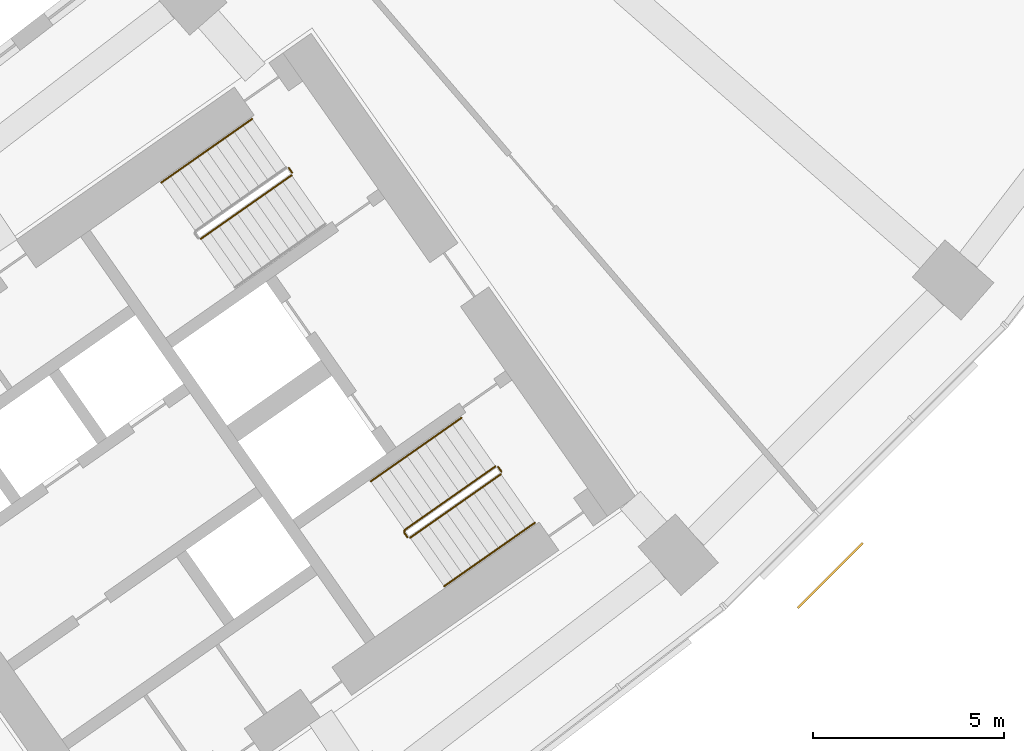
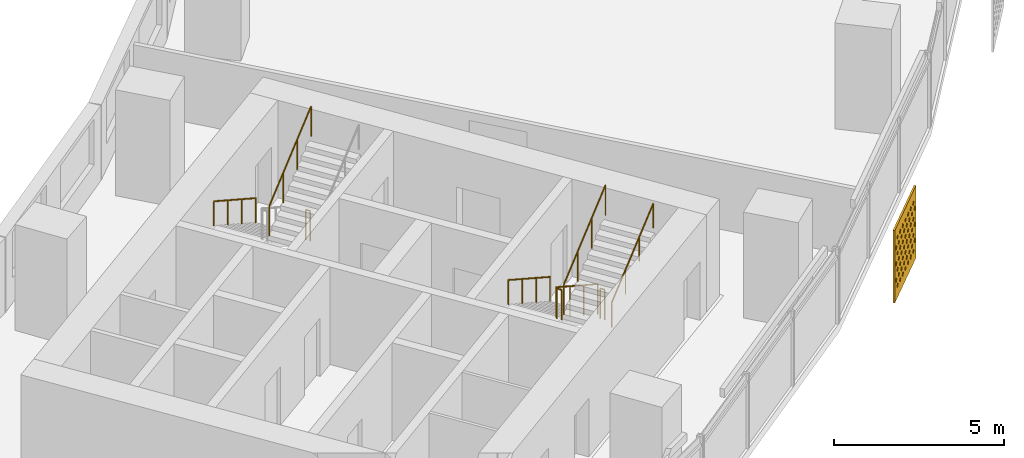
# One storey, part 28 of 29: 8 railings, 1 shading device.
"""IFC4 building model written with IfcOpenShell, lengths in metres."""

from ifc_helpers import new_model, si_unit, direction, frame, origin, origin_2d, place, context, subcontext, project, spatial, polyline, circle, outline, extrude, material, material_profile, profile_set, type_object, element, save


model = new_model("IFC4")

# Units and contexts
model_context = context("Model", 3, precision=1e-05, world=origin(), true_north=direction((0.0, 1.0)))
body_context = subcontext(model_context, "Body", "Model", "MODEL_VIEW")
ifc_project = project(units=[si_unit("LENGTHUNIT", "METRE"), si_unit("AREAUNIT", "SQUARE_METRE"), si_unit("VOLUMEUNIT", "CUBIC_METRE"), si_unit("PLANEANGLEUNIT", "RADIAN"), si_unit("MASSUNIT", "GRAM", prefix="KILO")], contexts=[model_context])

# Site, building, storey
site_placement = place(None, origin())
site = spatial("IfcSite", under=ifc_project, at=site_placement, CompositionType="ELEMENT")
building_placement = place(site_placement, origin())
building = spatial("IfcBuilding", under=site, at=building_placement, Name="Qamariyya Broadcast Tower", CompositionType="ELEMENT")
storey_placement = place(building_placement, frame((0.0, 0.0, 44.300048828125)))
storey = spatial("IfcBuildingStorey", under=building, at=storey_placement, Name="L07", CompositionType="ELEMENT", Elevation=44.300048828125)

# Shading device
ifc_material_1 = material(Name="Perforated glazed terracotta", Category="masonry")
ifc_material_profile = material_profile(ifc_material_1, outline(polyline([(-1.199951171875, -1.300048828125), (1.199951171875, -1.300048828125), (1.199951171875, 1.300048828125), (-1.199951171875, 1.300048828125), (-1.199951171875, -1.300048828125)]), holes=[polyline([(-0.81494140625, -0.86669921875), (-0.89990234375, -0.78173828125), (-0.985107421875, -0.86669921875), (-0.89990234375, -0.95166015625), (-0.81494140625, -0.86669921875)]), polyline([(-0.514892578125, -0.86669921875), (-0.60009765625, -0.78173828125), (-0.68505859375, -0.86669921875), (-0.60009765625, -0.95166015625), (-0.514892578125, -0.86669921875)]), polyline([(-0.215087890625, -0.86669921875), (-0.300048828125, -0.78173828125), (-0.385009765625, -0.86669921875), (-0.300048828125, -0.95166015625), (-0.215087890625, -0.86669921875)]), polyline([(0.0849609375, -0.86669921875), (0.0, -0.78173828125), (-0.0849609375, -0.86669921875), (0.0, -0.95166015625), (0.0849609375, -0.86669921875)]), polyline([(0.385009765625, -0.86669921875), (0.300048828125, -0.78173828125), (0.215087890625, -0.86669921875), (0.300048828125, -0.95166015625), (0.385009765625, -0.86669921875)]), polyline([(0.68505859375, -0.86669921875), (0.60009765625, -0.78173828125), (0.514892578125, -0.86669921875), (0.60009765625, -0.95166015625), (0.68505859375, -0.86669921875)]), polyline([(0.985107421875, -0.86669921875), (0.89990234375, -0.78173828125), (0.81494140625, -0.86669921875), (0.89990234375, -0.95166015625), (0.985107421875, -0.86669921875)]), polyline([(-0.965087890625, -0.577880859375), (-1.050048828125, -0.49267578125), (-1.135009765625, -0.577880859375), (-1.050048828125, -0.662841796875), (-0.965087890625, -0.577880859375)]), polyline([(-0.6650390625, -0.577880859375), (-0.75, -0.49267578125), (-0.8349609375, -0.577880859375), (-0.75, -0.662841796875), (-0.6650390625, -0.577880859375)]), polyline([(-0.364990234375, -0.577880859375), (-0.449951171875, -0.49267578125), (-0.534912109375, -0.577880859375), (-0.449951171875, -0.662841796875), (-0.364990234375, -0.577880859375)]), polyline([(-0.06494140625, -0.577880859375), (-0.14990234375, -0.49267578125), (-0.235107421875, -0.577880859375), (-0.14990234375, -0.662841796875), (-0.06494140625, -0.577880859375)]), polyline([(0.235107421875, -0.577880859375), (0.14990234375, -0.49267578125), (0.06494140625, -0.577880859375), (0.14990234375, -0.662841796875), (0.235107421875, -0.577880859375)]), polyline([(0.534912109375, -0.577880859375), (0.449951171875, -0.49267578125), (0.364990234375, -0.577880859375), (0.449951171875, -0.662841796875), (0.534912109375, -0.577880859375)]), polyline([(0.8349609375, -0.577880859375), (0.75, -0.49267578125), (0.6650390625, -0.577880859375), (0.75, -0.662841796875), (0.8349609375, -0.577880859375)]), polyline([(1.135009765625, -0.577880859375), (1.050048828125, -0.49267578125), (0.965087890625, -0.577880859375), (1.050048828125, -0.662841796875), (1.135009765625, -0.577880859375)]), polyline([(-0.81494140625, -0.288818359375), (-0.89990234375, -0.203857421875), (-0.985107421875, -0.288818359375), (-0.89990234375, -0.373779296875), (-0.81494140625, -0.288818359375)]), polyline([(-0.514892578125, -0.288818359375), (-0.60009765625, -0.203857421875), (-0.68505859375, -0.288818359375), (-0.60009765625, -0.373779296875), (-0.514892578125, -0.288818359375)]), polyline([(-0.215087890625, -0.288818359375), (-0.300048828125, -0.203857421875), (-0.385009765625, -0.288818359375), (-0.300048828125, -0.373779296875), (-0.215087890625, -0.288818359375)]), polyline([(0.0849609375, -0.288818359375), (0.0, -0.203857421875), (-0.0849609375, -0.288818359375), (0.0, -0.373779296875), (0.0849609375, -0.288818359375)]), polyline([(0.385009765625, -0.288818359375), (0.300048828125, -0.203857421875), (0.215087890625, -0.288818359375), (0.300048828125, -0.373779296875), (0.385009765625, -0.288818359375)]), polyline([(0.68505859375, -0.288818359375), (0.60009765625, -0.203857421875), (0.514892578125, -0.288818359375), (0.60009765625, -0.373779296875), (0.68505859375, -0.288818359375)]), polyline([(0.985107421875, -0.288818359375), (0.89990234375, -0.203857421875), (0.81494140625, -0.288818359375), (0.89990234375, -0.373779296875), (0.985107421875, -0.288818359375)]), polyline([(-0.965087890625, 0.0), (-1.050048828125, 0.0849609375), (-1.135009765625, 0.0), (-1.050048828125, -0.0849609375), (-0.965087890625, 0.0)]), polyline([(-0.6650390625, 0.0), (-0.75, 0.0849609375), (-0.8349609375, 0.0), (-0.75, -0.0849609375), (-0.6650390625, 0.0)]), polyline([(-0.364990234375, 0.0), (-0.449951171875, 0.0849609375), (-0.534912109375, 0.0), (-0.449951171875, -0.0849609375), (-0.364990234375, 0.0)]), polyline([(-0.06494140625, 0.0), (-0.14990234375, 0.0849609375), (-0.235107421875, 0.0), (-0.14990234375, -0.0849609375), (-0.06494140625, 0.0)]), polyline([(0.235107421875, 0.0), (0.14990234375, 0.0849609375), (0.06494140625, 0.0), (0.14990234375, -0.0849609375), (0.235107421875, 0.0)]), polyline([(0.534912109375, 0.0), (0.449951171875, 0.0849609375), (0.364990234375, 0.0), (0.449951171875, -0.0849609375), (0.534912109375, 0.0)]), polyline([(0.8349609375, 0.0), (0.75, 0.0849609375), (0.6650390625, 0.0), (0.75, -0.0849609375), (0.8349609375, 0.0)]), polyline([(1.135009765625, 0.0), (1.050048828125, 0.0849609375), (0.965087890625, 0.0), (1.050048828125, -0.0849609375), (1.135009765625, 0.0)]), polyline([(-0.81494140625, 0.288818359375), (-0.89990234375, 0.373779296875), (-0.985107421875, 0.288818359375), (-0.89990234375, 0.203857421875), (-0.81494140625, 0.288818359375)]), polyline([(-0.514892578125, 0.288818359375), (-0.60009765625, 0.373779296875), (-0.68505859375, 0.288818359375), (-0.60009765625, 0.203857421875), (-0.514892578125, 0.288818359375)]), polyline([(-0.215087890625, 0.288818359375), (-0.300048828125, 0.373779296875), (-0.385009765625, 0.288818359375), (-0.300048828125, 0.203857421875), (-0.215087890625, 0.288818359375)]), polyline([(0.0849609375, 0.288818359375), (0.0, 0.373779296875), (-0.0849609375, 0.288818359375), (0.0, 0.203857421875), (0.0849609375, 0.288818359375)]), polyline([(0.385009765625, 0.288818359375), (0.300048828125, 0.373779296875), (0.215087890625, 0.288818359375), (0.300048828125, 0.203857421875), (0.385009765625, 0.288818359375)]), polyline([(0.68505859375, 0.288818359375), (0.60009765625, 0.373779296875), (0.514892578125, 0.288818359375), (0.60009765625, 0.203857421875), (0.68505859375, 0.288818359375)]), polyline([(0.985107421875, 0.288818359375), (0.89990234375, 0.373779296875), (0.81494140625, 0.288818359375), (0.89990234375, 0.203857421875), (0.985107421875, 0.288818359375)]), polyline([(-0.965087890625, 0.577880859375), (-1.050048828125, 0.662841796875), (-1.135009765625, 0.577880859375), (-1.050048828125, 0.49267578125), (-0.965087890625, 0.577880859375)]), polyline([(-0.6650390625, 0.577880859375), (-0.75, 0.662841796875), (-0.8349609375, 0.577880859375), (-0.75, 0.49267578125), (-0.6650390625, 0.577880859375)]), polyline([(-0.364990234375, 0.577880859375), (-0.449951171875, 0.662841796875), (-0.534912109375, 0.577880859375), (-0.449951171875, 0.49267578125), (-0.364990234375, 0.577880859375)]), polyline([(-0.06494140625, 0.577880859375), (-0.14990234375, 0.662841796875), (-0.235107421875, 0.577880859375), (-0.14990234375, 0.49267578125), (-0.06494140625, 0.577880859375)]), polyline([(0.235107421875, 0.577880859375), (0.14990234375, 0.662841796875), (0.06494140625, 0.577880859375), (0.14990234375, 0.49267578125), (0.235107421875, 0.577880859375)]), polyline([(0.534912109375, 0.577880859375), (0.449951171875, 0.662841796875), (0.364990234375, 0.577880859375), (0.449951171875, 0.49267578125), (0.534912109375, 0.577880859375)]), polyline([(0.8349609375, 0.577880859375), (0.75, 0.662841796875), (0.6650390625, 0.577880859375), (0.75, 0.49267578125), (0.8349609375, 0.577880859375)]), polyline([(1.135009765625, 0.577880859375), (1.050048828125, 0.662841796875), (0.965087890625, 0.577880859375), (1.050048828125, 0.49267578125), (1.135009765625, 0.577880859375)]), polyline([(-0.81494140625, 0.86669921875), (-0.89990234375, 0.95166015625), (-0.985107421875, 0.86669921875), (-0.89990234375, 0.78173828125), (-0.81494140625, 0.86669921875)]), polyline([(-0.514892578125, 0.86669921875), (-0.60009765625, 0.95166015625), (-0.68505859375, 0.86669921875), (-0.60009765625, 0.78173828125), (-0.514892578125, 0.86669921875)]), polyline([(-0.215087890625, 0.86669921875), (-0.300048828125, 0.95166015625), (-0.385009765625, 0.86669921875), (-0.300048828125, 0.78173828125), (-0.215087890625, 0.86669921875)]), polyline([(0.0849609375, 0.86669921875), (0.0, 0.95166015625), (-0.0849609375, 0.86669921875), (0.0, 0.78173828125), (0.0849609375, 0.86669921875)]), polyline([(0.385009765625, 0.86669921875), (0.300048828125, 0.95166015625), (0.215087890625, 0.86669921875), (0.300048828125, 0.78173828125), (0.385009765625, 0.86669921875)]), polyline([(0.68505859375, 0.86669921875), (0.60009765625, 0.95166015625), (0.514892578125, 0.86669921875), (0.60009765625, 0.78173828125), (0.68505859375, 0.86669921875)]), polyline([(0.985107421875, 0.86669921875), (0.89990234375, 0.95166015625), (0.81494140625, 0.86669921875), (0.89990234375, 0.78173828125), (0.985107421875, 0.86669921875)])]))
ifc_profile_set = profile_set([ifc_material_profile], Name="Perforated glazed terracotta")
shading_device_type = type_object("IfcShadingDeviceType", Name="Perforated terracotta screen 2400 x 2600", PredefinedType="USERDEFINED", material=ifc_profile_set)
shading_device_placement = place(storey_placement, frame((55.2197265625, -58.977294921875, 1.349853515625), z_axis=(0.707106781187, -0.707106781187, 0.0), x_axis=(0.707106781187, 0.707106781187, 0.0)))
element("IfcShadingDevice", 1, at=shading_device_placement, inside=storey, type_object=shading_device_type, Name="e-scr-L07-14-0", ObjectType="SCREEN", PredefinedType="USERDEFINED", context=body_context, shape_type="SweptSolid", body=[
    extrude(outline(polyline([(-1.199951171875, -1.300048828125), (1.199951171875, -1.300048828125), (1.199951171875, 1.300048828125), (-1.199951171875, 1.300048828125), (-1.199951171875, -1.300048828125)]), holes=[polyline([(-0.81494140625, -0.86669921875), (-0.89990234375, -0.78173828125), (-0.985107421875, -0.86669921875), (-0.89990234375, -0.95166015625), (-0.81494140625, -0.86669921875)]), polyline([(-0.514892578125, -0.86669921875), (-0.60009765625, -0.78173828125), (-0.68505859375, -0.86669921875), (-0.60009765625, -0.95166015625), (-0.514892578125, -0.86669921875)]), polyline([(-0.215087890625, -0.86669921875), (-0.300048828125, -0.78173828125), (-0.385009765625, -0.86669921875), (-0.300048828125, -0.95166015625), (-0.215087890625, -0.86669921875)]), polyline([(0.0849609375, -0.86669921875), (0.0, -0.78173828125), (-0.0849609375, -0.86669921875), (0.0, -0.95166015625), (0.0849609375, -0.86669921875)]), polyline([(0.385009765625, -0.86669921875), (0.300048828125, -0.78173828125), (0.215087890625, -0.86669921875), (0.300048828125, -0.95166015625), (0.385009765625, -0.86669921875)]), polyline([(0.68505859375, -0.86669921875), (0.60009765625, -0.78173828125), (0.514892578125, -0.86669921875), (0.60009765625, -0.95166015625), (0.68505859375, -0.86669921875)]), polyline([(0.985107421875, -0.86669921875), (0.89990234375, -0.78173828125), (0.81494140625, -0.86669921875), (0.89990234375, -0.95166015625), (0.985107421875, -0.86669921875)]), polyline([(-0.965087890625, -0.577880859375), (-1.050048828125, -0.49267578125), (-1.135009765625, -0.577880859375), (-1.050048828125, -0.662841796875), (-0.965087890625, -0.577880859375)]), polyline([(-0.6650390625, -0.577880859375), (-0.75, -0.49267578125), (-0.8349609375, -0.577880859375), (-0.75, -0.662841796875), (-0.6650390625, -0.577880859375)]), polyline([(-0.364990234375, -0.577880859375), (-0.449951171875, -0.49267578125), (-0.534912109375, -0.577880859375), (-0.449951171875, -0.662841796875), (-0.364990234375, -0.577880859375)]), polyline([(-0.06494140625, -0.577880859375), (-0.14990234375, -0.49267578125), (-0.235107421875, -0.577880859375), (-0.14990234375, -0.662841796875), (-0.06494140625, -0.577880859375)]), polyline([(0.235107421875, -0.577880859375), (0.14990234375, -0.49267578125), (0.06494140625, -0.577880859375), (0.14990234375, -0.662841796875), (0.235107421875, -0.577880859375)]), polyline([(0.534912109375, -0.577880859375), (0.449951171875, -0.49267578125), (0.364990234375, -0.577880859375), (0.449951171875, -0.662841796875), (0.534912109375, -0.577880859375)]), polyline([(0.8349609375, -0.577880859375), (0.75, -0.49267578125), (0.6650390625, -0.577880859375), (0.75, -0.662841796875), (0.8349609375, -0.577880859375)]), polyline([(1.135009765625, -0.577880859375), (1.050048828125, -0.49267578125), (0.965087890625, -0.577880859375), (1.050048828125, -0.662841796875), (1.135009765625, -0.577880859375)]), polyline([(-0.81494140625, -0.288818359375), (-0.89990234375, -0.203857421875), (-0.985107421875, -0.288818359375), (-0.89990234375, -0.373779296875), (-0.81494140625, -0.288818359375)]), polyline([(-0.514892578125, -0.288818359375), (-0.60009765625, -0.203857421875), (-0.68505859375, -0.288818359375), (-0.60009765625, -0.373779296875), (-0.514892578125, -0.288818359375)]), polyline([(-0.215087890625, -0.288818359375), (-0.300048828125, -0.203857421875), (-0.385009765625, -0.288818359375), (-0.300048828125, -0.373779296875), (-0.215087890625, -0.288818359375)]), polyline([(0.0849609375, -0.288818359375), (0.0, -0.203857421875), (-0.0849609375, -0.288818359375), (0.0, -0.373779296875), (0.0849609375, -0.288818359375)]), polyline([(0.385009765625, -0.288818359375), (0.300048828125, -0.203857421875), (0.215087890625, -0.288818359375), (0.300048828125, -0.373779296875), (0.385009765625, -0.288818359375)]), polyline([(0.68505859375, -0.288818359375), (0.60009765625, -0.203857421875), (0.514892578125, -0.288818359375), (0.60009765625, -0.373779296875), (0.68505859375, -0.288818359375)]), polyline([(0.985107421875, -0.288818359375), (0.89990234375, -0.203857421875), (0.81494140625, -0.288818359375), (0.89990234375, -0.373779296875), (0.985107421875, -0.288818359375)]), polyline([(-0.965087890625, 0.0), (-1.050048828125, 0.0849609375), (-1.135009765625, 0.0), (-1.050048828125, -0.0849609375), (-0.965087890625, 0.0)]), polyline([(-0.6650390625, 0.0), (-0.75, 0.0849609375), (-0.8349609375, 0.0), (-0.75, -0.0849609375), (-0.6650390625, 0.0)]), polyline([(-0.364990234375, 0.0), (-0.449951171875, 0.0849609375), (-0.534912109375, 0.0), (-0.449951171875, -0.0849609375), (-0.364990234375, 0.0)]), polyline([(-0.06494140625, 0.0), (-0.14990234375, 0.0849609375), (-0.235107421875, 0.0), (-0.14990234375, -0.0849609375), (-0.06494140625, 0.0)]), polyline([(0.235107421875, 0.0), (0.14990234375, 0.0849609375), (0.06494140625, 0.0), (0.14990234375, -0.0849609375), (0.235107421875, 0.0)]), polyline([(0.534912109375, 0.0), (0.449951171875, 0.0849609375), (0.364990234375, 0.0), (0.449951171875, -0.0849609375), (0.534912109375, 0.0)]), polyline([(0.8349609375, 0.0), (0.75, 0.0849609375), (0.6650390625, 0.0), (0.75, -0.0849609375), (0.8349609375, 0.0)]), polyline([(1.135009765625, 0.0), (1.050048828125, 0.0849609375), (0.965087890625, 0.0), (1.050048828125, -0.0849609375), (1.135009765625, 0.0)]), polyline([(-0.81494140625, 0.288818359375), (-0.89990234375, 0.373779296875), (-0.985107421875, 0.288818359375), (-0.89990234375, 0.203857421875), (-0.81494140625, 0.288818359375)]), polyline([(-0.514892578125, 0.288818359375), (-0.60009765625, 0.373779296875), (-0.68505859375, 0.288818359375), (-0.60009765625, 0.203857421875), (-0.514892578125, 0.288818359375)]), polyline([(-0.215087890625, 0.288818359375), (-0.300048828125, 0.373779296875), (-0.385009765625, 0.288818359375), (-0.300048828125, 0.203857421875), (-0.215087890625, 0.288818359375)]), polyline([(0.0849609375, 0.288818359375), (0.0, 0.373779296875), (-0.0849609375, 0.288818359375), (0.0, 0.203857421875), (0.0849609375, 0.288818359375)]), polyline([(0.385009765625, 0.288818359375), (0.300048828125, 0.373779296875), (0.215087890625, 0.288818359375), (0.300048828125, 0.203857421875), (0.385009765625, 0.288818359375)]), polyline([(0.68505859375, 0.288818359375), (0.60009765625, 0.373779296875), (0.514892578125, 0.288818359375), (0.60009765625, 0.203857421875), (0.68505859375, 0.288818359375)]), polyline([(0.985107421875, 0.288818359375), (0.89990234375, 0.373779296875), (0.81494140625, 0.288818359375), (0.89990234375, 0.203857421875), (0.985107421875, 0.288818359375)]), polyline([(-0.965087890625, 0.577880859375), (-1.050048828125, 0.662841796875), (-1.135009765625, 0.577880859375), (-1.050048828125, 0.49267578125), (-0.965087890625, 0.577880859375)]), polyline([(-0.6650390625, 0.577880859375), (-0.75, 0.662841796875), (-0.8349609375, 0.577880859375), (-0.75, 0.49267578125), (-0.6650390625, 0.577880859375)]), polyline([(-0.364990234375, 0.577880859375), (-0.449951171875, 0.662841796875), (-0.534912109375, 0.577880859375), (-0.449951171875, 0.49267578125), (-0.364990234375, 0.577880859375)]), polyline([(-0.06494140625, 0.577880859375), (-0.14990234375, 0.662841796875), (-0.235107421875, 0.577880859375), (-0.14990234375, 0.49267578125), (-0.06494140625, 0.577880859375)]), polyline([(0.235107421875, 0.577880859375), (0.14990234375, 0.662841796875), (0.06494140625, 0.577880859375), (0.14990234375, 0.49267578125), (0.235107421875, 0.577880859375)]), polyline([(0.534912109375, 0.577880859375), (0.449951171875, 0.662841796875), (0.364990234375, 0.577880859375), (0.449951171875, 0.49267578125), (0.534912109375, 0.577880859375)]), polyline([(0.8349609375, 0.577880859375), (0.75, 0.662841796875), (0.6650390625, 0.577880859375), (0.75, 0.49267578125), (0.8349609375, 0.577880859375)]), polyline([(1.135009765625, 0.577880859375), (1.050048828125, 0.662841796875), (0.965087890625, 0.577880859375), (1.050048828125, 0.49267578125), (1.135009765625, 0.577880859375)]), polyline([(-0.81494140625, 0.86669921875), (-0.89990234375, 0.95166015625), (-0.985107421875, 0.86669921875), (-0.89990234375, 0.78173828125), (-0.81494140625, 0.86669921875)]), polyline([(-0.514892578125, 0.86669921875), (-0.60009765625, 0.95166015625), (-0.68505859375, 0.86669921875), (-0.60009765625, 0.78173828125), (-0.514892578125, 0.86669921875)]), polyline([(-0.215087890625, 0.86669921875), (-0.300048828125, 0.95166015625), (-0.385009765625, 0.86669921875), (-0.300048828125, 0.78173828125), (-0.215087890625, 0.86669921875)]), polyline([(0.0849609375, 0.86669921875), (0.0, 0.95166015625), (-0.0849609375, 0.86669921875), (0.0, 0.78173828125), (0.0849609375, 0.86669921875)]), polyline([(0.385009765625, 0.86669921875), (0.300048828125, 0.95166015625), (0.215087890625, 0.86669921875), (0.300048828125, 0.78173828125), (0.385009765625, 0.86669921875)]), polyline([(0.68505859375, 0.86669921875), (0.60009765625, 0.95166015625), (0.514892578125, 0.86669921875), (0.60009765625, 0.78173828125), (0.68505859375, 0.86669921875)]), polyline([(0.985107421875, 0.86669921875), (0.89990234375, 0.95166015625), (0.81494140625, 0.86669921875), (0.89990234375, 0.78173828125), (0.985107421875, 0.86669921875)])]), origin(), (0.0, 0.0, 1.0), 0.06005859375),
])

# Railings
ifc_material_2 = material(Name="Painted steel", Category="steel")
railing_type_1 = type_object("IfcRailingType", Name="Stair guard", PredefinedType="GUARDRAIL", material=ifc_material_2)
railing_1_placement = place(storey_placement, frame((38.771240234375, -50.188232421875, 2.07275390625)))
element("IfcRailing", 2, at=railing_1_placement, inside=storey, type_object=railing_type_1, Name="L07 ST-E2 stair guard 2", PredefinedType="GUARDRAIL", context=body_context, shape_type="SweptSolid", body=[
    extrude(circle(Radius=0.02392578125, at=origin_2d()), frame((0.0, 0.0, 1.076171875), z_axis=(0.703770094002, 0.492783725636, 0.511734163933), x_axis=(-0.573575343427, 0.819152809562, 0.0)), (0.0, 0.0, 1.0), 3.37548828125),
    extrude(circle(Radius=0.02099609375, at=origin_2d()), origin(), (0.0, 0.0, 1.0), 1.052001953125),
    extrude(circle(Radius=0.02099609375, at=origin_2d()), frame((0.791748046875, 0.554443359375, 0.57568359375)), (0.0, 0.0, 1.0), 1.052001953125),
    extrude(circle(Radius=0.02099609375, at=origin_2d()), frame((1.583740234375, 1.10888671875, 1.151611328125)), (0.0, 0.0, 1.0), 1.052001953125),
    extrude(circle(Radius=0.02099609375, at=origin_2d()), frame((2.37548828125, 1.663330078125, 1.727294921875)), (0.0, 0.0, 1.0), 1.052001953125),
])
railing_2_placement = place(storey_placement, frame((41.072998046875, -48.332275390625, 0.0)))
element("IfcRailing", 3, at=railing_2_placement, inside=storey, type_object=railing_type_1, Name="L07 ST-E2 stair guard 3", PredefinedType="GUARDRAIL", context=body_context, shape_type="SweptSolid", body=[
    extrude(circle(Radius=0.02392578125, at=origin_2d()), frame((0.0, 0.0, 1.076171875), z_axis=(0.572588637393, -0.819842821722, 0.0), x_axis=(0.819842821722, 0.572588637393, 0.0)), (0.0, 0.0, 1.0), 0.150146484375),
    extrude(circle(Radius=0.02099609375, at=origin_2d()), origin(), (0.0, 0.0, 1.0), 1.052001953125),
    extrude(circle(Radius=0.02099609375, at=origin_2d()), frame((0.0859375, -0.123046875, 0.0)), (0.0, 0.0, 1.0), 1.052001953125),
])
railing_3_placement = place(storey_placement, frame((46.48095703125, -56.14306640625, 0.172607421875)))
element("IfcRailing", 4, at=railing_3_placement, inside=storey, type_object=railing_type_1, Name="L07 ST-E1 stair guard 1", PredefinedType="GUARDRAIL", context=body_context, shape_type="SweptSolid", body=[
    extrude(circle(Radius=0.02392578125, at=origin_2d()), frame((0.0, 0.0, 1.076171875), z_axis=(-0.703770094002, -0.492783725636, 0.511734163933), x_axis=(0.573575343427, -0.819152809562, 0.0)), (0.0, 0.0, 1.0), 3.37548828125),
    extrude(circle(Radius=0.02392578125, at=origin_2d()), frame((-2.37548828125, -1.663330078125, 2.80322265625), z_axis=(-0.176149252506, -0.984363469884, 0.0), x_axis=(0.984363469884, -0.176149252506, 0.0)), (0.0, 0.0, 1.0), 0.07080078125),
    extrude(circle(Radius=0.02392578125, at=origin_2d()), frame((-2.387939453125, -1.73291015625, 2.80322265625), z_axis=(0.574444878118, -0.818543268254, 0.0), x_axis=(0.818543268254, 0.574444878118, 0.0)), (0.0, 0.0, 1.0), 0.150146484375),
    extrude(circle(Radius=0.02099609375, at=origin_2d()), origin(), (0.0, 0.0, 1.0), 1.052001953125),
    extrude(circle(Radius=0.02099609375, at=origin_2d()), frame((-0.791748046875, -0.554443359375, 0.57568359375)), (0.0, 0.0, 1.0), 1.052001953125),
    extrude(circle(Radius=0.02099609375, at=origin_2d()), frame((-1.583740234375, -1.10888671875, 1.151611328125)), (0.0, 0.0, 1.0), 1.052001953125),
    extrude(circle(Radius=0.02099609375, at=origin_2d()), frame((-2.37548828125, -1.663330078125, 1.727294921875)), (0.0, 0.0, 1.0), 1.052001953125),
    extrude(circle(Radius=0.02099609375, at=origin_2d()), frame((-2.387939453125, -1.73291015625, 1.727294921875)), (0.0, 0.0, 1.0), 1.052001953125),
    extrude(circle(Radius=0.02099609375, at=origin_2d()), frame((-2.3017578125, -1.855712890625, 1.727294921875)), (0.0, 0.0, 1.0), 1.052001953125),
])
railing_4_placement = place(storey_placement, frame((44.248779296875, -58.01123046875, 2.07275390625)))
element("IfcRailing", 5, at=railing_4_placement, inside=storey, type_object=railing_type_1, Name="L07 ST-E1 stair guard 2", PredefinedType="GUARDRAIL", context=body_context, shape_type="SweptSolid", body=[
    extrude(circle(Radius=0.02392578125, at=origin_2d()), frame((0.0, 0.0, 1.076171875), z_axis=(0.703745009021, 0.492838488332, 0.511715923826), x_axis=(-0.573631830683, 0.819113253969, 0.0)), (0.0, 0.0, 1.0), 3.37548828125),
    extrude(circle(Radius=0.02099609375, at=origin_2d()), origin(), (0.0, 0.0, 1.0), 1.052001953125),
    extrude(circle(Radius=0.02099609375, at=origin_2d()), frame((0.791748046875, 0.554443359375, 0.57568359375)), (0.0, 0.0, 1.0), 1.052001953125),
    extrude(circle(Radius=0.02099609375, at=origin_2d()), frame((1.583740234375, 1.109130859375, 1.151611328125)), (0.0, 0.0, 1.0), 1.052001953125),
    extrude(circle(Radius=0.02099609375, at=origin_2d()), frame((2.37548828125, 1.66357421875, 1.727294921875)), (0.0, 0.0, 1.0), 1.052001953125),
])
railing_5_placement = place(storey_placement, frame((46.550537109375, -56.1552734375, 0.0)))
element("IfcRailing", 6, at=railing_5_placement, inside=storey, type_object=railing_type_1, Name="L07 ST-E1 stair guard 3", PredefinedType="GUARDRAIL", context=body_context, shape_type="SweptSolid", body=[
    extrude(circle(Radius=0.02392578125, at=origin_2d()), frame((0.0, 0.0, 1.076171875), z_axis=(0.574444878118, -0.818543268254, 0.0), x_axis=(0.818543268254, 0.574444878118, 0.0)), (0.0, 0.0, 1.0), 0.150146484375),
    extrude(circle(Radius=0.02099609375, at=origin_2d()), origin(), (0.0, 0.0, 1.0), 1.052001953125),
    extrude(circle(Radius=0.02099609375, at=origin_2d()), frame((0.086181640625, -0.122802734375, 0.0)), (0.0, 0.0, 1.0), 1.052001953125),
])
ifc_material_3 = material(Name="Stainless steel", Category="steel")
railing_type_2 = type_object("IfcRailingType", Name="Stair handrail", PredefinedType="HANDRAIL", material=ifc_material_3)
railing_6_placement = place(storey_placement, frame((40.1142578125, -47.05029296875, 0.172607421875)))
element("IfcRailing", 7, at=railing_6_placement, inside=storey, type_object=railing_type_2, Name="L07 ST-E2 stair handrail 1", PredefinedType="HANDRAIL", context=body_context, shape_type="SweptSolid", body=[
    extrude(circle(Radius=0.02392578125, at=origin_2d()), frame((0.0, 0.0, 0.8759765625), z_axis=(-0.703745009021, -0.492838488332, 0.511715923826), x_axis=(0.573631830683, -0.819113253969, 0.0)), (0.0, 0.0, 1.0), 3.37548828125),
    extrude(circle(Radius=0.02099609375, at=origin_2d()), origin(), (0.0, 0.0, 1.0), 0.851806640625),
    extrude(circle(Radius=0.02099609375, at=origin_2d()), frame((-0.791748046875, -0.554443359375, 0.57568359375)), (0.0, 0.0, 1.0), 0.851806640625),
    extrude(circle(Radius=0.02099609375, at=origin_2d()), frame((-1.583740234375, -1.109130859375, 1.151611328125)), (0.0, 0.0, 1.0), 0.851806640625),
    extrude(circle(Radius=0.02099609375, at=origin_2d()), frame((-2.37548828125, -1.66357421875, 1.727294921875)), (0.0, 0.0, 1.0), 0.851806640625),
])
railing_7_placement = place(storey_placement, frame((45.591796875, -54.873291015625, 0.172607421875)))
element("IfcRailing", 8, at=railing_7_placement, inside=storey, type_object=railing_type_2, Name="L07 ST-E1 stair handrail 1", PredefinedType="HANDRAIL", context=body_context, shape_type="SweptSolid", body=[
    extrude(circle(Radius=0.02392578125, at=origin_2d()), frame((0.0, 0.0, 0.8759765625), z_axis=(-0.703770094002, -0.492783725636, 0.511734163933), x_axis=(0.573575343427, -0.819152809562, 0.0)), (0.0, 0.0, 1.0), 3.37548828125),
    extrude(circle(Radius=0.02099609375, at=origin_2d()), origin(), (0.0, 0.0, 1.0), 0.851806640625),
    extrude(circle(Radius=0.02099609375, at=origin_2d()), frame((-0.791748046875, -0.554443359375, 0.57568359375)), (0.0, 0.0, 1.0), 0.851806640625),
    extrude(circle(Radius=0.02099609375, at=origin_2d()), frame((-1.583740234375, -1.10888671875, 1.151611328125)), (0.0, 0.0, 1.0), 0.851806640625),
    extrude(circle(Radius=0.02099609375, at=origin_2d()), frame((-2.37548828125, -1.663330078125, 1.727294921875)), (0.0, 0.0, 1.0), 0.851806640625),
])
railing_8_placement = place(storey_placement, frame((45.137939453125, -59.28076171875, 2.07275390625)))
element("IfcRailing", 9, at=railing_8_placement, inside=storey, type_object=railing_type_2, Name="L07 ST-E1 stair handrail 2", PredefinedType="HANDRAIL", context=body_context, shape_type="SweptSolid", body=[
    extrude(circle(Radius=0.02392578125, at=origin_2d()), frame((0.0, 0.0, 0.8759765625), z_axis=(0.703770094002, 0.492783725636, 0.511734163933), x_axis=(-0.573575343427, 0.819152809562, 0.0)), (0.0, 0.0, 1.0), 3.37548828125),
    extrude(circle(Radius=0.02099609375, at=origin_2d()), origin(), (0.0, 0.0, 1.0), 0.851806640625),
    extrude(circle(Radius=0.02099609375, at=origin_2d()), frame((0.791748046875, 0.554443359375, 0.57568359375)), (0.0, 0.0, 1.0), 0.851806640625),
    extrude(circle(Radius=0.02099609375, at=origin_2d()), frame((1.583740234375, 1.10888671875, 1.151611328125)), (0.0, 0.0, 1.0), 0.851806640625),
    extrude(circle(Radius=0.02099609375, at=origin_2d()), frame((2.37548828125, 1.663330078125, 1.727294921875)), (0.0, 0.0, 1.0), 0.851806640625),
])

save(model, "model.ifc")
